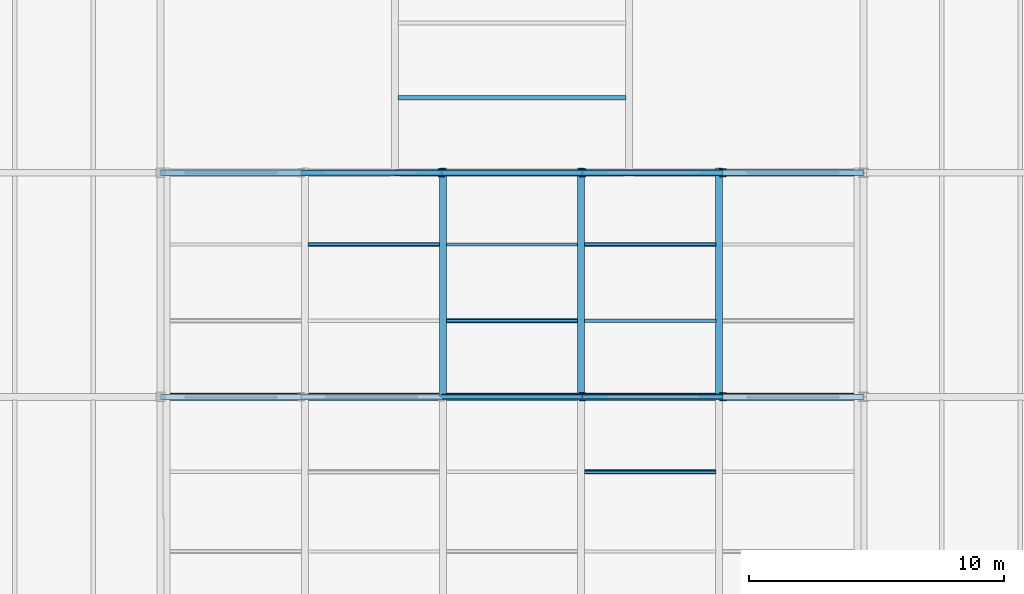
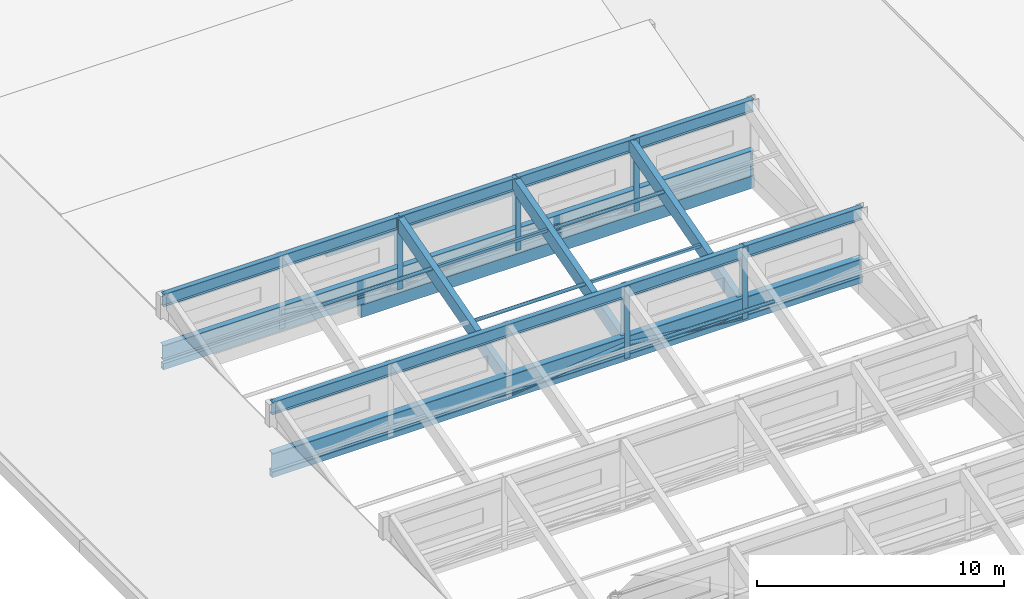
# One storey, part 16 of 77: 19 members, 9 beams.
"""IFC4 building model written with IfcOpenShell, lengths in metres."""

from ifc_helpers import new_model, si_unit, direction, frame, origin, origin_2d, place, context, subcontext, project, spatial, rectangle, hollow_rectangle, hollow_circle, i_section, extrude, material, material_profile, profile_set, type_object, element, save


model = new_model("IFC4")

# Units and contexts
model_context = context("Model", 3, precision=1e-05, world=origin(), true_north=direction((0.0, 1.0)))
body_context = subcontext(model_context, "Body", "Model", "MODEL_VIEW")
ifc_project = project(units=[si_unit("LENGTHUNIT", "METRE"), si_unit("AREAUNIT", "SQUARE_METRE"), si_unit("VOLUMEUNIT", "CUBIC_METRE"), si_unit("PLANEANGLEUNIT", "RADIAN"), si_unit("MASSUNIT", "GRAM", prefix="KILO")], contexts=[model_context])

# Site, building, storey
site_placement = place(None, origin())
site = spatial("IfcSite", under=ifc_project, at=site_placement, CompositionType="ELEMENT")
building_placement = place(site_placement, origin())
building = spatial("IfcBuilding", under=site, at=building_placement, Name="Meriwether Solvik Hall", CompositionType="ELEMENT")
storey_placement = place(building_placement, frame((0.0, 0.0, 9.89990234375)))
storey = spatial("IfcBuildingStorey", under=building, at=storey_placement, Name="L02", CompositionType="ELEMENT", Elevation=9.89990234375)

# Beams
ifc_material_1 = material(Name="Glulam Douglas-Fir 24F-V8 GL28h", Category="wood")
ifc_material_profile_1 = material_profile(ifc_material_1, rectangle(XDim=0.27294921875, YDim=0.610107421875, at=origin_2d()), Name="GLB-273X610")
ifc_profile_set_1 = profile_set([ifc_material_profile_1], Name="Glulam Douglas-Fir 24F-V8 GL28h")
beam_type_1 = type_object("IfcBeamType", Name="BM-GL-273X610", PredefinedType="SPANDREL", material=ifc_profile_set_1)
beam_1_placement = place(storey_placement, frame((23.199951171875, 50.0, -0.323974609375), z_axis=(1.0, 0.0, 0.0), x_axis=(0.0, 1.0, 0.0)))
element("IfcBeam", 1, at=beam_1_placement, inside=storey, type_object=beam_type_1, Name="Roof Tie Beam F:3-4 (L02)", PredefinedType="SPANDREL", context=body_context, shape_type="SweptSolid", body=[
    extrude(rectangle(XDim=0.27294921875, YDim=0.610107421875, at=origin_2d()), origin(), (0.0, 0.0, 1.0), 9.199951171875),
])
beam_2_placement = place(storey_placement, frame((32.39990234375, 50.0, -0.323974609375), z_axis=(1.0, 0.0, 0.0), x_axis=(0.0, 1.0, 0.0)))
element("IfcBeam", 2, at=beam_2_placement, inside=storey, type_object=beam_type_1, Name="Roof Tie Beam F:4-5 (L02)", PredefinedType="SPANDREL", context=body_context, shape_type="SweptSolid", body=[
    extrude(rectangle(XDim=0.27294921875, YDim=0.610107421875, at=origin_2d()), origin(), (0.0, 0.0, 1.0), 9.2001953125),
])
ifc_material_2 = material(Name="Glulam Douglas-Fir 24F-V8 GL28h", Category="wood")
ifc_material_profile_2 = material_profile(ifc_material_2, rectangle(XDim=0.27294921875, YDim=0.68505859375, at=origin_2d()), Name="GLB-273X685")
ifc_profile_set_2 = profile_set([ifc_material_profile_2], Name="Glulam Douglas-Fir 24F-V8 GL28h")
beam_type_2 = type_object("IfcBeamType", Name="BM-GL-273X685", PredefinedType="BEAM", material=ifc_profile_set_2)
for number, where, z_axis, x_axis, name in (
    (3, (25.087890625, 41.293701171875, 0.895751953125), (0.0, 0.961933763025, 0.273282702624), (-1.0, 0.0, 0.0), "Sanctuary Sawtooth Rafter 4.3"),
    (4, (30.511962890625, 41.293701171875, 0.895751953125), (0.0, 0.961933763025, 0.273282702624), (-1.0, 0.0, 0.0), "Sanctuary Sawtooth Rafter 4.4"),
    (5, (35.93603515625, 41.293701171875, 0.895751953125), (0.0, 0.961933763025, 0.273282702624), (-1.0, 0.0, 0.0), "Sanctuary Sawtooth Rafter 4.5"),
):
    element("IfcBeam", number, at=place(storey_placement, frame(where, z_axis=z_axis, x_axis=x_axis)), inside=storey, type_object=beam_type_2, Name=name, PredefinedType="BEAM", context=body_context, shape_type="SweptSolid", body=[
        extrude(rectangle(XDim=0.27294921875, YDim=0.68505859375, at=origin_2d()), origin(), (0.0, 0.0, 1.0), 9.14794921875),
    ])
ifc_material_3 = material(Name="Steel A992 Grade 50", Category="steel")
ifc_material_profile_3 = material_profile(ifc_material_3, i_section(OverallWidth=0.22900390625, OverallDepth=0.612060546875, WebThickness=0.011962890625, FlangeThickness=0.01953125, at=origin_2d()), Name="W24X84")
ifc_profile_set_3 = profile_set([ifc_material_profile_3], Name="Steel A992 Grade 50")
beam_type_3 = type_object("IfcBeamType", Name="BM-STL-W24X84", PredefinedType="BEAM", material=ifc_profile_set_3)
for number, where, z_axis, x_axis, name in (
    (6, (14.0, 41.199951171875, 3.419189453125), (1.0, 0.0, 0.0), (0.0, 1.0, 0.0), "Sanctuary Sawtooth Ridge Girder T4 (E)"),
    (7, (14.0, 50.0, 3.419189453125), (1.0, 0.0, 0.0), (0.0, 1.0, 0.0), "Sanctuary Sawtooth Ridge Girder T5 (F)"),
):
    element("IfcBeam", number, at=place(storey_placement, frame(where, z_axis=z_axis, x_axis=x_axis)), inside=storey, type_object=beam_type_3, Name=name, PredefinedType="BEAM", context=body_context, shape_type="SweptSolid", body=[
        extrude(i_section(OverallWidth=0.22900390625, OverallDepth=0.612060546875, WebThickness=0.011962890625, FlangeThickness=0.01953125, at=origin_2d()), origin(), (0.0, 0.0, 1.0), 27.60009765625),
    ])
ifc_material_4 = material(Name="Steel A992 Grade 50", Category="steel")
ifc_material_profile_4 = material_profile(ifc_material_4, i_section(OverallWidth=0.26806640625, OverallDepth=0.77001953125, WebThickness=0.015625, FlangeThickness=0.025390625, at=origin_2d()), Name="W30X132")
ifc_profile_set_4 = profile_set([ifc_material_profile_4], Name="Steel A992 Grade 50")
beam_type_4 = type_object("IfcBeamType", Name="BM-STL-W30X132", PredefinedType="BEAM", material=ifc_profile_set_4)
beam_3_placement = place(storey_placement, frame((14.0, 50.0, 0.840087890625), z_axis=(1.0, 0.0, 0.0), x_axis=(0.0, 1.0, 0.0)))
element("IfcBeam", 8, at=beam_3_placement, inside=storey, type_object=beam_type_4, Name="Sanctuary Roof Truss T5 (F) Top Girder", PredefinedType="BEAM", context=body_context, shape_type="SweptSolid", body=[
    extrude(i_section(OverallWidth=0.26806640625, OverallDepth=0.77001953125, WebThickness=0.015625, FlangeThickness=0.025390625, at=origin_2d()), origin(), (0.0, 0.0, 1.0), 27.60009765625),
])
ifc_material_5 = material(Name="Steel A992 Grade 50", Category="steel")
ifc_material_profile_5 = material_profile(ifc_material_5, i_section(OverallWidth=0.304931640625, OverallDepth=0.9189453125, WebThickness=0.017333984375, FlangeThickness=0.02783203125, at=origin_2d()), Name="W36X170")
ifc_profile_set_5 = profile_set([ifc_material_profile_5], Name="Steel A992 Grade 50")
beam_type_5 = type_object("IfcBeamType", Name="BM-STL-W36X170", PredefinedType="BEAM", material=ifc_profile_set_5)
beam_4_placement = place(storey_placement, frame((14.0, 41.199951171875, 0.765625), z_axis=(1.0, 0.0, 0.0), x_axis=(0.0, 1.0, 0.0)))
element("IfcBeam", 9, at=beam_4_placement, inside=storey, type_object=beam_type_5, Name="Sanctuary Roof Truss T4 (E) Top Girder", PredefinedType="BEAM", context=body_context, shape_type="SweptSolid", body=[
    extrude(i_section(OverallWidth=0.304931640625, OverallDepth=0.9189453125, WebThickness=0.017333984375, FlangeThickness=0.02783203125, at=origin_2d()), origin(), (0.0, 0.0, 1.0), 27.60009765625),
])

# Members
ifc_material_6 = material(Name="Steel A500 Grade C", Category="steel")
ifc_material_profile_6 = material_profile(ifc_material_6, hollow_circle(Radius=0.109619140625, WallThickness=0.009521484375, at=origin_2d()), Name="CHS219X9.5")
ifc_profile_set_6 = profile_set([ifc_material_profile_6], Name="Steel A500 Grade C")
member_type_1 = type_object("IfcMemberType", Name="MEM-BR-CHS219", PredefinedType="BRACE", material=ifc_profile_set_6)
for number, where, z_axis, x_axis, name in (
    (10, (25.0400390625, 41.199951171875, 0.150146484375), (0.993841313907, 0.0, 0.110812647163), (0.0, 1.0, 0.0), "Sanctuary Truss T4 Diagonal 3"),
    (11, (30.56005859375, 41.199951171875, 0.765625), (0.993841313907, 0.0, -0.110812647163), (0.0, 1.0, 0.0), "Sanctuary Truss T4 Diagonal 4"),
):
    element("IfcMember", number, at=place(storey_placement, frame(where, z_axis=z_axis, x_axis=x_axis)), inside=storey, type_object=member_type_1, Name=name, PredefinedType="BRACE", context=body_context, shape_type="SweptSolid", body=[
        extrude(hollow_circle(Radius=0.109619140625, WallThickness=0.009521484375, at=origin_2d()), origin(), (0.0, 0.0, 1.0), 5.55419921875),
    ])
for number, where, z_axis, x_axis, name in (
    (12, (19.52001953125, 50.0, 0.840087890625), (0.992279227016, 0.0, -0.124023931692), (0.0, 1.0, 0.0), "Sanctuary Truss T5 Diagonal 2"),
    (13, (25.0400390625, 50.0, 0.150146484375), (0.992279227016, 0.0, 0.124023931692), (0.0, 1.0, 0.0), "Sanctuary Truss T5 Diagonal 3"),
    (14, (30.56005859375, 50.0, 0.840087890625), (0.992279227016, 0.0, -0.124023931692), (0.0, 1.0, 0.0), "Sanctuary Truss T5 Diagonal 4"),
):
    element("IfcMember", number, at=place(storey_placement, frame(where, z_axis=z_axis, x_axis=x_axis)), inside=storey, type_object=member_type_1, Name=name, PredefinedType="BRACE", context=body_context, shape_type="SweptSolid", body=[
        extrude(hollow_circle(Radius=0.109619140625, WallThickness=0.009521484375, at=origin_2d()), origin(), (0.0, 0.0, 1.0), 5.56298828125),
    ])
ifc_material_7 = material(Name="Steel A500 Grade C", Category="steel")
ifc_material_profile_7 = material_profile(ifc_material_7, hollow_rectangle(XDim=0.202880859375, YDim=0.304931640625, WallThickness=0.0126953125, at=origin_2d()), Name="HSS305X203X12.7")
ifc_profile_set_7 = profile_set([ifc_material_profile_7], Name="Steel A500 Grade C")
member_type_2 = type_object("IfcMemberType", Name="MEM-CHORD-HSS305", PredefinedType="CHORD", material=ifc_profile_set_7)
for number, where, z_axis, x_axis, name in (
    (15, (14.0, 41.199951171875, 0.150146484375), (1.0, 0.0, 0.0), (0.0, 1.0, 0.0), "Sanctuary Roof Truss T4 (E) Bottom Chord"),
    (16, (14.0, 50.0, 0.150146484375), (1.0, 0.0, 0.0), (0.0, 1.0, 0.0), "Sanctuary Roof Truss T5 (F) Bottom Chord"),
):
    element("IfcMember", number, at=place(storey_placement, frame(where, z_axis=z_axis, x_axis=x_axis)), inside=storey, type_object=member_type_2, Name=name, PredefinedType="CHORD", context=body_context, shape_type="SweptSolid", body=[
        extrude(hollow_rectangle(XDim=0.202880859375, YDim=0.304931640625, WallThickness=0.0126953125, at=origin_2d()), origin(), (0.0, 0.0, 1.0), 27.60009765625),
    ])
ifc_material_8 = material(Name="Steel A992 Grade 50", Category="steel")
ifc_material_profile_8 = material_profile(ifc_material_8, i_section(OverallWidth=0.25390625, OverallDepth=0.305908203125, WebThickness=0.0087890625, FlangeThickness=0.0146484375, at=origin_2d()), Name="W12X53")
ifc_profile_set_8 = profile_set([ifc_material_profile_8], Name="Steel A992 Grade 50")
member_type_3 = type_object("IfcMemberType", Name="MEM-CHORD-W12X53", PredefinedType="CHORD", material=ifc_profile_set_8)
for number, where, z_axis, x_axis, name in (
    (17, (30.56005859375, 41.199951171875, 0.150146484375), (0.0, 0.0, 1.0), (1.0, 0.0, 0.0), "Sanctuary Truss T4 Post 3"),
    (18, (36.080078125, 41.199951171875, 0.150146484375), (0.0, 0.0, 1.0), (1.0, 0.0, 0.0), "Sanctuary Truss T4 Post 4"),
    (19, (25.0400390625, 50.0, 0.150146484375), (0.0, 0.0, 1.0), (1.0, 0.0, 0.0), "Sanctuary Truss T5 Post 2"),
    (20, (30.56005859375, 50.0, 0.150146484375), (0.0, 0.0, 1.0), (1.0, 0.0, 0.0), "Sanctuary Truss T5 Post 3"),
    (21, (36.080078125, 50.0, 0.150146484375), (0.0, 0.0, 1.0), (1.0, 0.0, 0.0), "Sanctuary Truss T5 Post 4"),
):
    element("IfcMember", number, at=place(storey_placement, frame(where, z_axis=z_axis, x_axis=x_axis)), inside=storey, type_object=member_type_3, Name=name, PredefinedType="CHORD", context=body_context, shape_type="SweptSolid", body=[
        extrude(i_section(OverallWidth=0.25390625, OverallDepth=0.305908203125, WebThickness=0.0087890625, FlangeThickness=0.0146484375, at=origin_2d()), origin(), (0.0, 0.0, 1.0), 3.574951171875),
    ])
ifc_material_9 = material(Name="Steel A500 Grade C", Category="steel")
ifc_material_profile_9 = material_profile(ifc_material_9, hollow_circle(Radius=0.084228515625, WallThickness=0.0078125, at=origin_2d()), Name="CHS168X7.9")
ifc_profile_set_9 = profile_set([ifc_material_profile_9], Name="Steel A500 Grade C")
member_type_4 = type_object("IfcMemberType", Name="MEM-PRL-CHS168", PredefinedType="PURLIN", material=ifc_profile_set_9)
member_1_placement = place(storey_placement, frame((30.64404296875, 38.256103515625, 2.81884765625), z_axis=(1.0, 0.0, 0.0), x_axis=(0.0, 1.0, 0.0)))
element("IfcMember", 22, at=member_1_placement, inside=storey, type_object=member_type_4, Name="Sanctuary Sawtooth Purlin 3.4.2", PredefinedType="PURLIN", context=body_context, shape_type="SweptSolid", body=[
    extrude(hollow_circle(Radius=0.084228515625, WallThickness=0.0078125, at=origin_2d()), origin(), (0.0, 0.0, 1.0), 5.159912109375),
])
member_2_placement = place(storey_placement, frame((19.7958984375, 47.18408203125, 2.81884765625), z_axis=(1.0, 0.0, 0.0), x_axis=(0.0, 1.0, 0.0)))
element("IfcMember", 23, at=member_2_placement, inside=storey, type_object=member_type_4, Name="Sanctuary Sawtooth Purlin 4.2.2", PredefinedType="PURLIN", context=body_context, shape_type="SweptSolid", body=[
    extrude(hollow_circle(Radius=0.084228515625, WallThickness=0.0078125, at=origin_2d()), origin(), (0.0, 0.0, 1.0), 5.16015625),
])
for number, where, z_axis, x_axis, name in (
    (24, (25.219970703125, 44.19189453125, 1.968994140625), (1.0, 0.0, 0.0), (0.0, 1.0, 0.0), "Sanctuary Sawtooth Purlin 4.3.1"),
    (25, (30.64404296875, 47.18408203125, 2.81884765625), (1.0, 0.0, 0.0), (0.0, 1.0, 0.0), "Sanctuary Sawtooth Purlin 4.4.2"),
):
    element("IfcMember", number, at=place(storey_placement, frame(where, z_axis=z_axis, x_axis=x_axis)), inside=storey, type_object=member_type_4, Name=name, PredefinedType="PURLIN", context=body_context, shape_type="SweptSolid", body=[
        extrude(hollow_circle(Radius=0.084228515625, WallThickness=0.0078125, at=origin_2d()), origin(), (0.0, 0.0, 1.0), 5.159912109375),
    ])
ifc_material_10 = material(Name="Glulam Douglas-Fir 24F-V8 GL28h", Category="wood")
ifc_material_profile_10 = material_profile(ifc_material_10, rectangle(XDim=0.175048828125, YDim=0.304931640625, at=origin_2d()), Name="GLM-175X305")
ifc_profile_set_10 = profile_set([ifc_material_profile_10], Name="Glulam Douglas-Fir 24F-V8 GL28h")
member_type_5 = type_object("IfcMemberType", Name="MEM-PRL-GL175", PredefinedType="PURLIN", material=ifc_profile_set_10)
member_3_placement = place(storey_placement, frame((23.33251953125, 52.93994140625, 0.654296875), z_axis=(1.0, 0.0, 0.0), x_axis=(0.0, 1.0, 0.0)))
element("IfcMember", 26, at=member_3_placement, inside=storey, type_object=member_type_5, Name="Sloped Roof Glulam Purlin w1_north_s1-1.1", PredefinedType="PURLIN", context=body_context, shape_type="SweptSolid", body=[
    extrude(rectangle(XDim=0.175048828125, YDim=0.304931640625, at=origin_2d()), origin(), (0.0, 0.0, 1.0), 8.93505859375),
])
ifc_material_11 = material(Name="Steel A500 Grade C", Category="steel")
ifc_material_profile_11 = material_profile(ifc_material_11, hollow_rectangle(XDim=0.126953125, YDim=0.126953125, WallThickness=0.0078125, at=origin_2d()), Name="HSS127X127X7.9")
ifc_profile_set_11 = profile_set([ifc_material_profile_11], Name="Steel A500 Grade C")
member_type_6 = type_object("IfcMemberType", Name="MEM-PRL-HSS127", PredefinedType="PURLIN", material=ifc_profile_set_11)
for number, where, z_axis, x_axis, name in (
    (27, (25.219970703125, 47.18408203125, 2.839599609375), (1.0, 0.0, 0.0), (0.0, 1.0, 0.0), "Sanctuary Sawtooth Purlin 4.3.2"),
    (28, (30.64404296875, 44.19189453125, 1.989501953125), (1.0, 0.0, 0.0), (0.0, 1.0, 0.0), "Sanctuary Sawtooth Purlin 4.4.1"),
):
    element("IfcMember", number, at=place(storey_placement, frame(where, z_axis=z_axis, x_axis=x_axis)), inside=storey, type_object=member_type_6, Name=name, PredefinedType="PURLIN", context=body_context, shape_type="SweptSolid", body=[
        extrude(hollow_rectangle(XDim=0.126953125, YDim=0.126953125, WallThickness=0.0078125, at=origin_2d()), origin(), (0.0, 0.0, 1.0), 5.159912109375),
    ])

save(model, "model.ifc")
